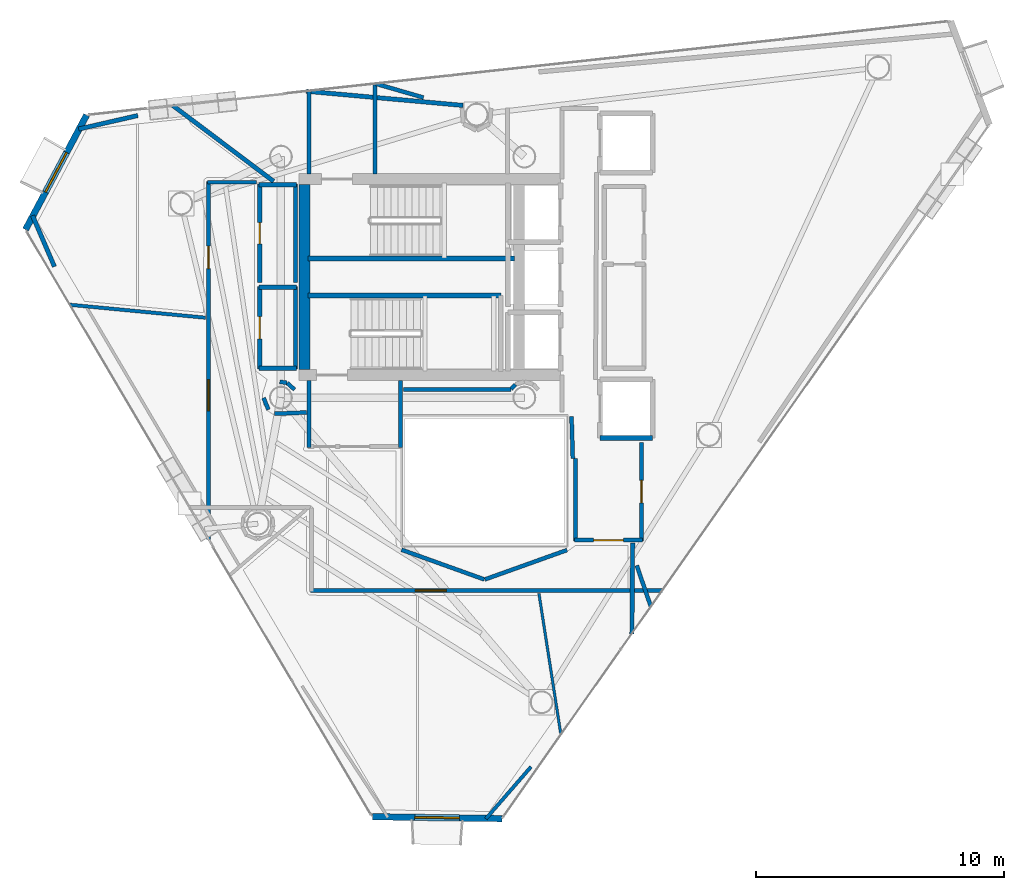
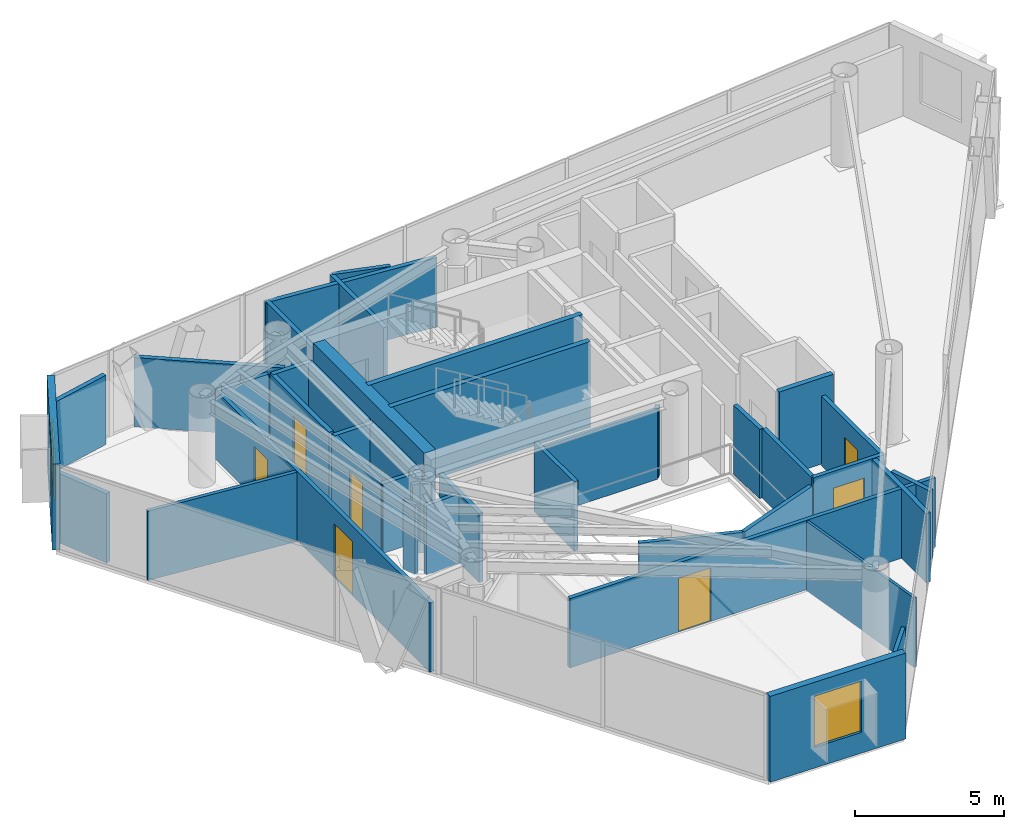
# One storey, part 15 of 19: 42 walls, 7 doors, 2 windows, 9 openings.
"""IFC4 building model written with IfcOpenShell, lengths in metres."""

from ifc_helpers import new_model, si_unit, direction, frame, frame_2d, origin, place, context, subcontext, project, spatial, rectangle, extrude, material, layer, layer_set, type_object, element, fill, save


model = new_model("IFC4")

# Units and contexts
model_context = context("Model", 3, precision=1e-05, world=origin(), true_north=direction((0.0, 1.0)))
body_context = subcontext(model_context, "Body", "Model", "MODEL_VIEW")
ifc_project = project(units=[si_unit("LENGTHUNIT", "METRE"), si_unit("AREAUNIT", "SQUARE_METRE"), si_unit("VOLUMEUNIT", "CUBIC_METRE"), si_unit("PLANEANGLEUNIT", "RADIAN"), si_unit("MASSUNIT", "GRAM", prefix="KILO")], contexts=[model_context])

# Site, building, storey
site_placement = place(None, origin())
site = spatial("IfcSite", under=ifc_project, at=site_placement, CompositionType="ELEMENT")
building_placement = place(site_placement, origin())
building = spatial("IfcBuilding", under=site, at=building_placement, Name="Qianvela Tower", CompositionType="ELEMENT")
storey_placement = place(building_placement, frame((0.0, 0.0, 280.60009765625)))
storey = spatial("IfcBuildingStorey", under=building, at=storey_placement, Name="L72", CompositionType="ELEMENT", Elevation=280.60009765625)

# Wall, opening, window
ifc_material_1 = material(Name="Terracotta Cladding on Concrete C40", Category="masonry")
ifc_layer_1 = layer(ifc_material_1, 0.260009765625)
ifc_layer_set_1 = layer_set([ifc_layer_1], Name="Terracotta Cladding on Concrete C40")
wall_type_1 = type_object("IfcWallType", Name="TERRACOTTA-WALL-260", PredefinedType="SOLIDWALL", material=ifc_layer_set_1)
wall_1_placement = place(storey_placement, frame((20.776611328125, 35.221435546875, 0.0), z_axis=(0.0, 0.0, 1.0), x_axis=(-0.470359968521, -0.882474645535, 0.0)))
wall_1 = element("IfcWall", 1, at=wall_1_placement, inside=storey, type_object=wall_type_1, Name="L72 Terracotta Chamfer Facet Wall 3", PredefinedType="SOLIDWALL", context=body_context, shape_type="SweptSolid", body=[
    extrude(rectangle(XDim=5.218505859375, YDim=0.260009765625, at=frame_2d((2.609375, 0.0))), origin(), (0.0, 0.0, 1.0), 3.52001953125),
])
opening_1_placement = place(wall_1_placement, frame((1.709228515625, 0.0, 0.85009765625)))
opening_1 = element("IfcOpeningElement", 2, at=opening_1_placement, cuts=wall_1, Name="Opening W-01", PredefinedType="OPENING", context=body_context, shape_type="SweptSolid", body=[
    extrude(rectangle(XDim=1.800048828125, YDim=2.10009765625, at=frame_2d((0.89990234375, 1.050048828125))), frame((0.0, 0.139892578125, 0.0), z_axis=(0.0, -1.0, 0.0), x_axis=(1.0, 0.0, 0.0)), (0.0, 0.0, 1.0), 0.280029296875),
])
ifc_material_2 = material(Name="Thermally Broken Aluminium and Low-E Glass", Category="aluminium")
window_type = type_object("IfcWindowType", Name="WIN-TC-1800x2100", PartitioningType="DOUBLE_PANEL_VERTICAL", PredefinedType="WINDOW", material=ifc_material_2)
window_1_placement = place(opening_1_placement, origin())
window_1 = element("IfcWindow", 3, at=window_1_placement, inside=storey, type_object=window_type, Name="L72 Chamfer Facet Window 3.1", OverallHeight=2.10009765625, OverallWidth=1.800048828125, PartitioningType="SINGLE_PANEL", PredefinedType="WINDOW", context=body_context, shape_type="SweptSolid", body=[
    extrude(rectangle(XDim=1.800048828125, YDim=2.10009765625, at=frame_2d((0.89990234375, 1.050048828125))), frame((0.0, 0.030029296875, 0.0), z_axis=(0.0, -1.0, 0.0), x_axis=(1.0, 0.0, 0.0)), (0.0, 0.0, 1.0), 0.06005859375),
])
fill(opening_1, window_1)

wall_2_placement = place(storey_placement, frame((32.279541015625, 6.977783203125, 0.0), z_axis=(0.0, 0.0, 1.0), x_axis=(0.999896181959, -0.014409209004, 0.0)))
wall_2 = element("IfcWall", 4, at=wall_2_placement, inside=storey, type_object=wall_type_1, Name="L72 Terracotta Chamfer Facet Wall 5", PredefinedType="SOLIDWALL", context=body_context, shape_type="SweptSolid", body=[
    extrude(rectangle(XDim=5.218505859375, YDim=0.260009765625, at=frame_2d((2.609375, 0.0))), origin(), (0.0, 0.0, 1.0), 3.52001953125),
])
opening_2_placement = place(wall_2_placement, frame((1.709228515625, 0.0, 0.85009765625)))
opening_2 = element("IfcOpeningElement", 5, at=opening_2_placement, cuts=wall_2, Name="Opening W-01", PredefinedType="OPENING", context=body_context, shape_type="SweptSolid", body=[
    extrude(rectangle(XDim=1.800048828125, YDim=2.10009765625, at=frame_2d((0.89990234375, 1.050048828125))), frame((0.0, 0.139892578125, 0.0), z_axis=(0.0, -1.0, 0.0), x_axis=(1.0, 0.0, 0.0)), (0.0, 0.0, 1.0), 0.280029296875),
])
window_2_placement = place(opening_2_placement, origin())
window_2 = element("IfcWindow", 6, at=window_2_placement, inside=storey, type_object=window_type, Name="L72 Chamfer Facet Window 5.1", OverallHeight=2.10009765625, OverallWidth=1.800048828125, PartitioningType="SINGLE_PANEL", PredefinedType="WINDOW", context=body_context, shape_type="SweptSolid", body=[
    extrude(rectangle(XDim=1.800048828125, YDim=2.10009765625, at=frame_2d((0.89990234375, 1.050048828125))), frame((0.0, 0.030029296875, 0.0), z_axis=(0.0, -1.0, 0.0), x_axis=(1.0, 0.0, 0.0)), (0.0, 0.0, 1.0), 0.06005859375),
])
fill(opening_2, window_2)

# Walls
ifc_material_3 = material(Name="Concrete C50", Category="concrete")
ifc_layer_2 = layer(ifc_material_3, 0.449951171875)
ifc_layer_set_2 = layer_set([ifc_layer_2], Name="Concrete C50")
wall_type_2 = type_object("IfcWallType", Name="WT-CORE-450", PredefinedType="SHEAR", material=ifc_layer_set_2)
wall_3_placement = place(storey_placement, frame((29.554931640625, 24.97998046875, 0.0), z_axis=(0.0, 0.0, 1.0), x_axis=(0.0, 1.0, 0.0)))
element("IfcWall", 7, at=wall_3_placement, inside=storey, type_object=wall_type_2, Name="L72 West Core Shear Wall", PredefinedType="SHEAR", context=body_context, shape_type="SweptSolid", body=[
    extrude(rectangle(XDim=7.43994140625, YDim=0.449951171875, at=frame_2d((3.719970703125, 0.0))), origin(), (0.0, 0.0, 1.0), 3.52001953125),
])
ifc_material_4 = material(Name="Fire-Rated Gypsum and Concrete Block", Category="concrete")
ifc_layer_3 = layer(ifc_material_4, 0.159912109375)
ifc_layer_set_3 = layer_set([ifc_layer_3], Name="Fire-Rated Gypsum and Concrete Block")
wall_type_3 = type_object("IfcWallType", Name="WT-CORR-160", PredefinedType="PARTITIONING", material=ifc_layer_set_3)
wall_4_placement = place(storey_placement, frame((29.73095703125, 32.85791015625, 0.0), z_axis=(0.0, 0.0, 1.0), x_axis=(0.0, 1.0, 0.0)))
element("IfcWall", 8, at=wall_4_placement, inside=storey, type_object=wall_type_3, Name="L72 Partition 2", PredefinedType="PARTITIONING", context=body_context, shape_type="SweptSolid", body=[
    extrude(rectangle(XDim=3.357421875, YDim=0.159912109375, at=frame_2d((1.6787109375, 0.0))), origin(), (0.0, 0.0, 1.0), 2.83984375),
])
wall_5_placement = place(storey_placement, frame((32.388916015625, 36.50439453125, 0.0), z_axis=(0.0, 0.0, 1.0), x_axis=(0.0, -1.0, 0.0)))
element("IfcWall", 9, at=wall_5_placement, inside=storey, type_object=wall_type_3, Name="L72 Partition 4", PredefinedType="PARTITIONING", context=body_context, shape_type="SweptSolid", body=[
    extrude(rectangle(XDim=3.646484375, YDim=0.159912109375, at=frame_2d((1.8232421875, 0.0))), origin(), (0.0, 0.0, 1.0), 2.83984375),
])
for number, where, z_axis, x_axis, name in (
    (10, (29.73095703125, 21.85009765625, 0.0), (0.0, 0.0, 1.0), (0.0, 1.0, 0.0), "L72 Partition 6"),
    (11, (33.4189453125, 24.5419921875, 0.0), (0.0, 0.0, 1.0), (0.0, -1.0, 0.0), "L72 Partition 8"),
):
    element("IfcWall", number, at=place(storey_placement, frame(where, z_axis=z_axis, x_axis=x_axis)), inside=storey, type_object=wall_type_3, Name=name, PredefinedType="PARTITIONING", context=body_context, shape_type="SweptSolid", body=[
        extrude(rectangle(XDim=2.69189453125, YDim=0.159912109375, at=frame_2d((1.345947265625, 0.0))), origin(), (0.0, 0.0, 1.0), 2.83984375),
    ])
wall_6_placement = place(storey_placement, frame((40.35107421875, 21.40087890625, 0.0), z_axis=(0.0, 0.0, 1.0), x_axis=(-0.031058045979, 0.999517582527, 0.0)))
element("IfcWall", 12, at=wall_6_placement, inside=storey, type_object=wall_type_3, Name="L72 Partition 9", PredefinedType="PARTITIONING", context=body_context, shape_type="SweptSolid", body=[
    extrude(rectangle(XDim=1.68212890625, YDim=0.159912109375, at=frame_2d((0.841064453125, 0.0))), origin(), (0.0, 0.0, 1.0), 2.83984375),
])

# Wall, opening, door
wall_7_placement = place(storey_placement, frame((43.118896484375, 22.050048828125, 0.0), z_axis=(0.0, 0.0, 1.0), x_axis=(0.0, -1.0, 0.0)))
wall_7 = element("IfcWall", 13, at=wall_7_placement, inside=storey, type_object=wall_type_3, Name="L72 Partition 16", PredefinedType="PARTITIONING", context=body_context, shape_type="SweptSolid", body=[
    extrude(rectangle(XDim=3.969970703125, YDim=0.159912109375, at=frame_2d((1.98486328125, 0.0))), origin(), (0.0, 0.0, 1.0), 2.83984375),
])
opening_3_placement = place(wall_7_placement, frame((1.534912109375, 0.0, 0.0)))
opening_3 = element("IfcOpeningElement", 14, at=opening_3_placement, cuts=wall_7, Name="Opening D-KT1", PredefinedType="OPENING", context=body_context, shape_type="SweptSolid", body=[
    extrude(rectangle(XDim=0.89990234375, YDim=2.10009765625, at=frame_2d((0.449951171875, 1.050048828125))), frame((0.0, 0.08984375, 0.0), z_axis=(0.0, -1.0, 0.0), x_axis=(1.0, 0.0, 0.0)), (0.0, 0.0, 1.0), 0.179931640625),
])
ifc_material_5 = material(Name="Glazed Timber Kitchen Door", Category="wood")
door_type_1 = type_object("IfcDoorType", Name="DT-KITCH-900", OperationType="NOTDEFINED", PredefinedType="DOOR", material=ifc_material_5)
door_1_placement = place(opening_3_placement, origin())
door_1 = element("IfcDoor", 15, at=door_1_placement, inside=storey, type_object=door_type_1, Name="L72 Door Student Tea Pantry L72-03 to L72 Lift Lobby", OperationType="SINGLE_SWING_LEFT", OverallHeight=2.10009765625, OverallWidth=0.89990234375, PredefinedType="DOOR", context=body_context, shape_type="SweptSolid", body=[
    extrude(rectangle(XDim=0.89990234375, YDim=2.10009765625, at=frame_2d((0.449951171875, 1.050048828125))), frame((0.0, 0.02490234375, 0.0), z_axis=(0.0, -1.0, 0.0), x_axis=(1.0, 0.0, 0.0)), (0.0, 0.0, 1.0), 0.050048828125),
])
fill(opening_3, door_1)

wall_8_placement = place(storey_placement, frame((43.14990234375, 18.111083984375, 0.0), z_axis=(0.0, 0.0, 1.0), x_axis=(-1.0, 0.0, 0.0)))
wall_8 = element("IfcWall", 16, at=wall_8_placement, inside=storey, type_object=wall_type_3, Name="L72 Partition 17", PredefinedType="PARTITIONING", context=body_context, shape_type="SweptSolid", body=[
    extrude(rectangle(XDim=2.72998046875, YDim=0.159912109375, at=frame_2d((1.364990234375, 0.0))), origin(), (0.0, 0.0, 1.0), 2.83984375),
])
opening_4_placement = place(wall_8_placement, frame((0.764892578125, 0.0, 0.0)))
opening_4 = element("IfcOpeningElement", 17, at=opening_4_placement, cuts=wall_8, Name="Opening D-LB1", PredefinedType="OPENING", context=body_context, shape_type="SweptSolid", body=[
    extrude(rectangle(XDim=1.199951171875, YDim=2.14990234375, at=frame_2d((0.60009765625, 1.074951171875))), frame((0.0, 0.08984375, 0.0), z_axis=(0.0, -1.0, 0.0), x_axis=(1.0, 0.0, 0.0)), (0.0, 0.0, 1.0), 0.179931640625),
])
ifc_material_6 = material(Name="Glazed Fire-Rated Steel Frame", Category="steel")
door_type_2 = type_object("IfcDoorType", Name="DT-LOBBY-FD90", OperationType="NOTDEFINED", PredefinedType="DOOR", material=ifc_material_6)
door_2_placement = place(opening_4_placement, origin())
door_2 = element("IfcDoor", 18, at=door_2_placement, inside=storey, type_object=door_type_2, Name="L72 Door L72 Lift Lobby to L72 Floor Corridor", OperationType="SINGLE_SWING_LEFT", OverallHeight=2.14990234375, OverallWidth=1.199951171875, PredefinedType="DOOR", context=body_context, shape_type="SweptSolid", body=[
    extrude(rectangle(XDim=1.199951171875, YDim=2.14990234375, at=frame_2d((0.60009765625, 1.074951171875))), frame((0.0, 0.02490234375, 0.0), z_axis=(0.0, -1.0, 0.0), x_axis=(1.0, 0.0, 0.0)), (0.0, 0.0, 1.0), 0.050048828125),
])
fill(opening_4, door_2)

# Walls
wall_9_placement = place(storey_placement, frame((40.450927734375, 18.080078125, 0.0), z_axis=(0.0, 0.0, 1.0), x_axis=(0.0, 1.0, 0.0)))
element("IfcWall", 19, at=wall_9_placement, inside=storey, type_object=wall_type_3, Name="L72 Partition 18 seg 1", PredefinedType="PARTITIONING", context=body_context, shape_type="SweptSolid", body=[
    extrude(rectangle(XDim=3.31982421875, YDim=0.159912109375, at=frame_2d((1.659912109375, 0.0))), origin(), (0.0, 0.0, 1.0), 2.83984375),
])
wall_10_placement = place(storey_placement, frame((38.0380859375, 24.378173828125, 0.0), z_axis=(0.0, 0.0, 1.0), x_axis=(-0.673658387955, -0.739042878551, 0.0)))
element("IfcWall", 20, at=wall_10_placement, inside=storey, type_object=wall_type_3, Name="L72 Partition 40", PredefinedType="PARTITIONING", context=body_context, shape_type="SweptSolid", body=[
    extrude(rectangle(XDim=0.246337890625, YDim=0.159912109375, at=frame_2d((0.123046875, 0.0))), origin(), (0.0, 0.0, 1.0), 2.83984375),
])
wall_11_placement = place(storey_placement, frame((37.8720703125, 24.180908203125, 0.0), z_axis=(0.0, 0.0, 1.0), x_axis=(-1.0, 0.0, 0.0)))
element("IfcWall", 21, at=wall_11_placement, inside=storey, type_object=wall_type_3, Name="L72 Partition 41", PredefinedType="PARTITIONING", context=body_context, shape_type="SweptSolid", body=[
    extrude(rectangle(XDim=4.342041015625, YDim=0.159912109375, at=frame_2d((2.1708984375, 0.0))), origin(), (0.0, 0.0, 1.0), 2.83984375),
])
wall_12_placement = place(storey_placement, frame((29.148681640625, 24.173095703125, 0.0), z_axis=(0.0, 0.0, 1.0), x_axis=(-0.745225165416, 0.666812906917, 0.0)))
element("IfcWall", 22, at=wall_12_placement, inside=storey, type_object=wall_type_3, Name="L72 Partition 51", PredefinedType="PARTITIONING", context=body_context, shape_type="SweptSolid", body=[
    extrude(rectangle(XDim=0.3955078125, YDim=0.159912109375, at=frame_2d((0.19775390625, 0.0))), origin(), (0.0, 0.0, 1.0), 2.83984375),
])
wall_13_placement = place(storey_placement, frame((28.837890625, 24.444091796875, 0.0), z_axis=(0.0, 0.0, 1.0), x_axis=(-0.989449148305, 0.144880581578, 0.0)))
element("IfcWall", 23, at=wall_13_placement, inside=storey, type_object=wall_type_3, Name="L72 Partition 52", PredefinedType="PARTITIONING", context=body_context, shape_type="SweptSolid", body=[
    extrude(rectangle(XDim=0.286376953125, YDim=0.159912109375, at=frame_2d((0.14306640625, 0.0))), origin(), (0.0, 0.0, 1.0), 2.83984375),
])
wall_14_placement = place(storey_placement, frame((32.4091796875, 36.48681640625, 0.0), z_axis=(0.0, 0.0, 1.0), x_axis=(0.960545465506, -0.278123010007, 0.0)))
element("IfcWall", 24, at=wall_14_placement, inside=storey, type_object=wall_type_3, Name="L72 Partition 55", PredefinedType="PARTITIONING", context=body_context, shape_type="SweptSolid", body=[
    extrude(rectangle(XDim=2.008544921875, YDim=0.159912109375, at=frame_2d((1.00439453125, 0.0))), origin(), (0.0, 0.0, 1.0), 2.83984375),
])
wall_15_placement = place(storey_placement, frame((27.9013671875, 23.838134765625, 0.0), z_axis=(0.0, 0.0, 1.0), x_axis=(0.382856448334, -0.923807847969, 0.0)))
element("IfcWall", 25, at=wall_15_placement, inside=storey, type_object=wall_type_3, Name="L72 Partition 62", PredefinedType="PARTITIONING", context=body_context, shape_type="SweptSolid", body=[
    extrude(rectangle(XDim=0.5126953125, YDim=0.159912109375, at=frame_2d((0.25634765625, 0.0))), origin(), (0.0, 0.0, 1.0), 2.83984375),
])
wall_16_placement = place(storey_placement, frame((28.3447265625, 23.199951171875, 0.0), z_axis=(0.0, 0.0, 1.0), x_axis=(0.999216536924, 0.039576664043, 0.0)))
element("IfcWall", 26, at=wall_16_placement, inside=storey, type_object=wall_type_3, Name="L72 Partition 63", PredefinedType="PARTITIONING", context=body_context, shape_type="SweptSolid", body=[
    extrude(rectangle(XDim=1.29541015625, YDim=0.159912109375, at=frame_2d((0.647705078125, 0.0))), origin(), (0.0, 0.0, 1.0), 2.83984375),
])
wall_17_placement = place(storey_placement, frame((33.45751953125, 17.723876953125, 0.0), z_axis=(0.0, 0.0, 1.0), x_axis=(0.94128854789, -0.337603124408, 0.0)))
element("IfcWall", 27, at=wall_17_placement, inside=storey, type_object=wall_type_3, Name="L72 Partition 66", PredefinedType="PARTITIONING", context=body_context, shape_type="SweptSolid", body=[
    extrude(rectangle(XDim=3.539794921875, YDim=0.159912109375, at=frame_2d((1.77001953125, 0.0))), origin(), (0.0, 0.0, 1.0), 2.83984375),
])
wall_18_placement = place(storey_placement, frame((36.810302734375, 16.52880859375, 0.0), z_axis=(0.0, 0.0, 1.0), x_axis=(0.941548344365, 0.33687789364, 0.0)))
element("IfcWall", 28, at=wall_18_placement, inside=storey, type_object=wall_type_3, Name="L72 Partition 67", PredefinedType="PARTITIONING", context=body_context, shape_type="SweptSolid", body=[
    extrude(rectangle(XDim=3.5126953125, YDim=0.159912109375, at=frame_2d((1.75634765625, 0.0))), origin(), (0.0, 0.0, 1.0), 2.83984375),
])
wall_19_placement = place(storey_placement, frame((42.923828125, 17.09228515625, 0.0), z_axis=(0.0, 0.0, 1.0), x_axis=(0.324748509852, -0.945800404604, 0.0)))
element("IfcWall", 29, at=wall_19_placement, inside=storey, type_object=wall_type_3, Name="L72 Partition 69", PredefinedType="PARTITIONING", context=body_context, shape_type="SweptSolid", body=[
    extrude(rectangle(XDim=1.7509765625, YDim=0.159912109375, at=frame_2d((0.87548828125, 0.0))), origin(), (0.0, 0.0, 1.0), 2.83984375),
])

# Wall, opening, door
wall_20_placement = place(storey_placement, frame((43.96533203125, 16.0810546875, 0.0), z_axis=(0.0, 0.0, 1.0), x_axis=(-1.0, 0.0, 0.0)))
wall_20 = element("IfcWall", 30, at=wall_20_placement, inside=storey, type_object=wall_type_3, Name="L72 Partition 70", PredefinedType="PARTITIONING", context=body_context, shape_type="SweptSolid", body=[
    extrude(rectangle(XDim=14.165283203125, YDim=0.159912109375, at=frame_2d((7.08251953125, 0.0))), origin(), (0.0, 0.0, 1.0), 2.83984375),
])
opening_5_placement = place(wall_20_placement, frame((8.70068359375, 0.0, 0.0)))
opening_5 = element("IfcOpeningElement", 31, at=opening_5_placement, cuts=wall_20, Name="Opening D-LG1", PredefinedType="OPENING", context=body_context, shape_type="SweptSolid", body=[
    extrude(rectangle(XDim=1.25, YDim=2.199951171875, at=frame_2d((0.625, 1.10009765625))), frame((0.0, 0.08984375, 0.0), z_axis=(0.0, -1.0, 0.0), x_axis=(1.0, 0.0, 0.0)), (0.0, 0.0, 1.0), 0.179931640625),
])
ifc_material_7 = material(Name="Anodised Aluminium Acoustic Glass Door", Category="aluminium")
door_type_3 = type_object("IfcDoorType", Name="DT-LOUNGE-1250", OperationType="NOTDEFINED", PredefinedType="DOOR", material=ifc_material_7)
door_3_placement = place(opening_5_placement, origin())
door_3 = element("IfcDoor", 32, at=door_3_placement, inside=storey, type_object=door_type_3, Name="L72 Door Project Huddle Conference L72-02 to L72 Floor Corridor", OperationType="SINGLE_SWING_RIGHT", OverallHeight=2.199951171875, OverallWidth=1.25, PredefinedType="DOOR", context=body_context, shape_type="SweptSolid", body=[
    extrude(rectangle(XDim=1.25, YDim=2.199951171875, at=frame_2d((0.625, 1.10009765625))), frame((0.0, 0.02490234375, 0.0), z_axis=(0.0, -1.0, 0.0), x_axis=(1.0, 0.0, 0.0)), (0.0, 0.0, 1.0), 0.050048828125),
])
fill(opening_5, door_3)

# Wall, openings, doors
wall_21_placement = place(storey_placement, frame((25.680908203125, 18.133056640625, 0.0), z_axis=(0.0, 0.0, 1.0), x_axis=(0.0, 1.0, 0.0)))
wall_21 = element("IfcWall", 33, at=wall_21_placement, inside=storey, type_object=wall_type_3, Name="L72 Partition 73", PredefinedType="PARTITIONING", context=body_context, shape_type="SweptSolid", body=[
    extrude(rectangle(XDim=14.4169921875, YDim=0.159912109375, at=frame_2d((7.20849609375, 0.0))), origin(), (0.0, 0.0, 1.0), 2.83984375),
])
opening_6_placement = place(wall_21_placement, frame((5.185546875, 0.0, 0.0)))
opening_6 = element("IfcOpeningElement", 34, at=opening_6_placement, cuts=wall_21, Name="Opening D-LG1", PredefinedType="OPENING", context=body_context, shape_type="SweptSolid", body=[
    extrude(rectangle(XDim=1.25, YDim=2.199951171875, at=frame_2d((0.625, 1.10009765625))), frame((0.0, 0.08984375, 0.0), z_axis=(0.0, -1.0, 0.0), x_axis=(1.0, 0.0, 0.0)), (0.0, 0.0, 1.0), 0.179931640625),
])
opening_7_placement = place(wall_21_placement, frame((10.911865234375, 0.0, 0.0)))
opening_7 = element("IfcOpeningElement", 35, at=opening_7_placement, cuts=wall_21, Name="Opening D-KT1", PredefinedType="OPENING", context=body_context, shape_type="SweptSolid", body=[
    extrude(rectangle(XDim=0.89990234375, YDim=2.10009765625, at=frame_2d((0.449951171875, 1.050048828125))), frame((0.0, 0.08984375, 0.0), z_axis=(0.0, -1.0, 0.0), x_axis=(1.0, 0.0, 0.0)), (0.0, 0.0, 1.0), 0.179931640625),
])
door_4_placement = place(opening_7_placement, origin())
door_4 = element("IfcDoor", 36, at=door_4_placement, inside=storey, type_object=door_type_1, Name="L72 Door Floor Dining Kitchen L72-04 to L72 Floor Corridor", OperationType="SINGLE_SWING_RIGHT", OverallHeight=2.10009765625, OverallWidth=0.89990234375, PredefinedType="DOOR", context=body_context, shape_type="SweptSolid", body=[
    extrude(rectangle(XDim=0.89990234375, YDim=2.10009765625, at=frame_2d((0.449951171875, 1.050048828125))), frame((0.0, 0.02490234375, 0.0), z_axis=(0.0, -1.0, 0.0), x_axis=(1.0, 0.0, 0.0)), (0.0, 0.0, 1.0), 0.050048828125),
])
fill(opening_7, door_4)
door_5_placement = place(opening_6_placement, origin())
door_5 = element("IfcDoor", 37, at=door_5_placement, inside=storey, type_object=door_type_3, Name="L72 Door Tutorial Breakout Seminar L72-01 to L72 Floor Corridor", OperationType="SINGLE_SWING_LEFT", OverallHeight=2.199951171875, OverallWidth=1.25, PredefinedType="DOOR", context=body_context, shape_type="SweptSolid", body=[
    extrude(rectangle(XDim=1.25, YDim=2.199951171875, at=frame_2d((0.625, 1.10009765625))), frame((0.0, 0.02490234375, 0.0), z_axis=(0.0, -1.0, 0.0), x_axis=(1.0, 0.0, 0.0)), (0.0, 0.0, 1.0), 0.050048828125),
])
fill(opening_6, door_5)

# Walls
wall_22_placement = place(storey_placement, frame((25.64990234375, 32.51904296875, 0.0), z_axis=(0.0, 0.0, 1.0), x_axis=(1.0, 0.0, 0.0)))
element("IfcWall", 38, at=wall_22_placement, inside=storey, type_object=wall_type_3, Name="L72 Partition 74", PredefinedType="PARTITIONING", context=body_context, shape_type="SweptSolid", body=[
    extrude(rectangle(XDim=1.97021484375, YDim=0.159912109375, at=frame_2d((0.985107421875, 0.0))), origin(), (0.0, 0.0, 1.0), 2.83984375),
])
ifc_material_8 = material(Name="Lightweight Gypsum Room Partition")
ifc_layer_4 = layer(ifc_material_8, 0.10498046875)
ifc_layer_set_4 = layer_set([ifc_layer_4], Name="Lightweight Gypsum Room Partition")
wall_type_4 = type_object("IfcWallType", Name="WT-PART-105", PredefinedType="PARTITIONING", material=ifc_layer_set_4)
wall_23_placement = place(storey_placement, frame((38.98681640625, 15.965087890625, 0.0), z_axis=(0.0, 0.0, 1.0), x_axis=(0.153696911963, -0.988118039129, 0.0)))
element("IfcWall", 39, at=wall_23_placement, inside=storey, type_object=wall_type_4, Name="L72 Partition 94", PredefinedType="PARTITIONING", context=body_context, shape_type="SweptSolid", body=[
    extrude(rectangle(XDim=5.7724609375, YDim=0.10498046875, at=frame_2d((2.88623046875, 0.0))), origin(), (0.0, 0.0, 1.0), 2.83984375),
])

# Wall, opening, door
ifc_material_9 = material(Name="Moisture-Resistant Acoustic Plumbing Wall")
ifc_layer_5 = layer(ifc_material_9, 0.175048828125)
ifc_layer_set_5 = layer_set([ifc_layer_5], Name="Moisture-Resistant Acoustic Plumbing Wall")
wall_type_5 = type_object("IfcWallType", Name="WT-PLUMB-175", PredefinedType="PLUMBINGWALL", material=ifc_layer_set_5)
wall_24_placement = place(storey_placement, frame((27.7509765625, 25.0, 0.0), z_axis=(0.0, 0.0, 1.0), x_axis=(0.0, 1.0, 0.0)))
wall_24 = element("IfcWall", 40, at=wall_24_placement, inside=storey, type_object=wall_type_5, Name="L72 Partition 27", PredefinedType="PLUMBINGWALL", context=body_context, shape_type="SweptSolid", body=[
    extrude(rectangle(XDim=3.320068359375, YDim=0.175048828125, at=frame_2d((1.66015625, 0.0))), origin(), (0.0, 0.0, 1.0), 2.83984375),
])
opening_8_placement = place(wall_24_placement, frame((1.2099609375, 0.0, 0.0)))
opening_8 = element("IfcOpeningElement", 41, at=opening_8_placement, cuts=wall_24, Name="Opening D-KT1", PredefinedType="OPENING", context=body_context, shape_type="SweptSolid", body=[
    extrude(rectangle(XDim=0.89990234375, YDim=2.10009765625, at=frame_2d((0.449951171875, 1.050048828125))), frame((0.0, 0.097412109375, 0.0), z_axis=(0.0, -1.0, 0.0), x_axis=(1.0, 0.0, 0.0)), (0.0, 0.0, 1.0), 0.195068359375),
])
door_6_placement = place(opening_8_placement, origin())
door_6 = element("IfcDoor", 42, at=door_6_placement, inside=storey, type_object=door_type_1, Name="L72 Door L72 Core Tea Pantry West to L72 Floor Corridor", OperationType="SINGLE_SWING_RIGHT", OverallHeight=2.10009765625, OverallWidth=0.89990234375, PredefinedType="DOOR", context=body_context, shape_type="SweptSolid", body=[
    extrude(rectangle(XDim=0.89990234375, YDim=2.10009765625, at=frame_2d((0.449951171875, 1.050048828125))), frame((0.0, 0.02490234375, 0.0), z_axis=(0.0, -1.0, 0.0), x_axis=(1.0, 0.0, 0.0)), (0.0, 0.0, 1.0), 0.050048828125),
])
fill(opening_8, door_6)

# Walls
wall_25_placement = place(storey_placement, frame((27.719970703125, 28.2890625, 0.0), z_axis=(0.0, 0.0, 1.0), x_axis=(1.0, 0.0, 0.0)))
element("IfcWall", 43, at=wall_25_placement, inside=storey, type_object=wall_type_5, Name="L72 Partition 28", PredefinedType="PLUMBINGWALL", context=body_context, shape_type="SweptSolid", body=[
    extrude(rectangle(XDim=1.5, YDim=0.175048828125, at=frame_2d((0.75, 0.0))), origin(), (0.0, 0.0, 1.0), 2.83984375),
])
wall_26_placement = place(storey_placement, frame((29.18896484375, 28.320068359375, 0.0), z_axis=(0.0, 0.0, 1.0), x_axis=(0.0, -1.0, 0.0)))
element("IfcWall", 44, at=wall_26_placement, inside=storey, type_object=wall_type_5, Name="L72 Partition 29", PredefinedType="PLUMBINGWALL", context=body_context, shape_type="SweptSolid", body=[
    extrude(rectangle(XDim=3.320068359375, YDim=0.175048828125, at=frame_2d((1.66015625, 0.0))), origin(), (0.0, 0.0, 1.0), 2.83984375),
])
wall_27_placement = place(storey_placement, frame((29.219970703125, 25.031005859375, 0.0), z_axis=(0.0, 0.0, 1.0), x_axis=(-1.0, 0.0, 0.0)))
element("IfcWall", 45, at=wall_27_placement, inside=storey, type_object=wall_type_5, Name="L72 Partition 30", PredefinedType="PLUMBINGWALL", context=body_context, shape_type="SweptSolid", body=[
    extrude(rectangle(XDim=1.5, YDim=0.175048828125, at=frame_2d((0.75, 0.0))), origin(), (0.0, 0.0, 1.0), 2.83984375),
])

# Wall, opening, door
wall_28_placement = place(storey_placement, frame((27.7509765625, 28.47998046875, 0.0), z_axis=(0.0, 0.0, 1.0), x_axis=(0.0, 1.0, 0.0)))
wall_28 = element("IfcWall", 46, at=wall_28_placement, inside=storey, type_object=wall_type_5, Name="L72 Partition 31", PredefinedType="PLUMBINGWALL", context=body_context, shape_type="SweptSolid", body=[
    extrude(rectangle(XDim=3.969970703125, YDim=0.175048828125, at=frame_2d((1.98486328125, 0.0))), origin(), (0.0, 0.0, 1.0), 2.83984375),
])
opening_9_placement = place(wall_28_placement, frame((1.554931640625, 0.0, 0.0)))
opening_9 = element("IfcOpeningElement", 47, at=opening_9_placement, cuts=wall_28, Name="Opening D-WC1", PredefinedType="OPENING", context=body_context, shape_type="SweptSolid", body=[
    extrude(rectangle(XDim=0.860107421875, YDim=2.050048828125, at=frame_2d((0.43017578125, 1.02490234375))), frame((0.0, 0.097412109375, 0.0), z_axis=(0.0, -1.0, 0.0), x_axis=(1.0, 0.0, 0.0)), (0.0, 0.0, 1.0), 0.195068359375),
])
ifc_material_10 = material(Name="Moisture-Sealed Acoustic Timber Door", Category="wood")
door_type_4 = type_object("IfcDoorType", Name="DT-WC-860", OperationType="NOTDEFINED", PredefinedType="DOOR", material=ifc_material_10)
door_7_placement = place(opening_9_placement, origin())
door_7 = element("IfcDoor", 48, at=door_7_placement, inside=storey, type_object=door_type_4, Name="L72 Door L72 Accessible WC to L72 Floor Corridor", OperationType="SINGLE_SWING_LEFT", OverallHeight=2.050048828125, OverallWidth=0.860107421875, PredefinedType="DOOR", context=body_context, shape_type="SweptSolid", body=[
    extrude(rectangle(XDim=0.860107421875, YDim=2.050048828125, at=frame_2d((0.43017578125, 1.02490234375))), frame((0.0, 0.02490234375, 0.0), z_axis=(0.0, -1.0, 0.0), x_axis=(1.0, 0.0, 0.0)), (0.0, 0.0, 1.0), 0.050048828125),
])
fill(opening_9, door_7)

# Walls
wall_29_placement = place(storey_placement, frame((27.719970703125, 32.4189453125, 0.0), z_axis=(0.0, 0.0, 1.0), x_axis=(1.0, 0.0, 0.0)))
element("IfcWall", 49, at=wall_29_placement, inside=storey, type_object=wall_type_5, Name="L72 Partition 32", PredefinedType="PLUMBINGWALL", context=body_context, shape_type="SweptSolid", body=[
    extrude(rectangle(XDim=1.5, YDim=0.175048828125, at=frame_2d((0.75, 0.0))), origin(), (0.0, 0.0, 1.0), 2.83984375),
])
wall_30_placement = place(storey_placement, frame((29.18896484375, 32.449951171875, 0.0), z_axis=(0.0, 0.0, 1.0), x_axis=(0.0, -1.0, 0.0)))
element("IfcWall", 50, at=wall_30_placement, inside=storey, type_object=wall_type_5, Name="L72 Partition 33", PredefinedType="PLUMBINGWALL", context=body_context, shape_type="SweptSolid", body=[
    extrude(rectangle(XDim=3.969970703125, YDim=0.175048828125, at=frame_2d((1.98486328125, 0.0))), origin(), (0.0, 0.0, 1.0), 2.83984375),
])
wall_31_placement = place(storey_placement, frame((35.93310546875, 35.610595703125, 0.0), z_axis=(0.0, 0.0, 1.0), x_axis=(-0.995921239294, 0.090226853666, 0.0)))
element("IfcWall", 51, at=wall_31_placement, inside=storey, type_object=wall_type_5, Name="L72 Partition 111", PredefinedType="PLUMBINGWALL", context=body_context, shape_type="SweptSolid", body=[
    extrude(rectangle(XDim=6.342529296875, YDim=0.175048828125, at=frame_2d((3.17138671875, 0.0))), origin(), (0.0, 0.0, 1.0), 2.83984375),
])
wall_32_placement = place(storey_placement, frame((28.306640625, 32.5546875, 0.0), z_axis=(0.0, 0.0, 1.0), x_axis=(-0.799198697227, 0.601066920027, 0.0)))
element("IfcWall", 52, at=wall_32_placement, inside=storey, type_object=wall_type_5, Name="L72 Partition 114", PredefinedType="PLUMBINGWALL", context=body_context, shape_type="SweptSolid", body=[
    extrude(rectangle(XDim=5.086669921875, YDim=0.175048828125, at=frame_2d((2.54345703125, 0.0))), origin(), (0.0, 0.0, 1.0), 2.83984375),
])
wall_33_placement = place(storey_placement, frame((42.729736328125, 14.3310546875, 0.0), z_axis=(0.0, 0.0, 1.0), x_axis=(0.007785749238, 0.999969690595, 0.0)))
element("IfcWall", 53, at=wall_33_placement, inside=storey, type_object=wall_type_5, Name="L72 Partition 120", PredefinedType="PLUMBINGWALL", context=body_context, shape_type="SweptSolid", body=[
    extrude(rectangle(XDim=3.668701171875, YDim=0.175048828125, at=frame_2d((1.83447265625, 0.0))), origin(), (0.0, 0.0, 1.0), 2.83984375),
])
wall_34_placement = place(storey_placement, frame((20.457275390625, 34.65771484375, 0.0), z_axis=(0.0, 0.0, 1.0), x_axis=(0.974674773873, 0.223627111899, 0.0)))
element("IfcWall", 54, at=wall_34_placement, inside=storey, type_object=wall_type_5, Name="L72 Partition 125 seg 1", PredefinedType="PLUMBINGWALL", context=body_context, shape_type="SweptSolid", body=[
    extrude(rectangle(XDim=2.445556640625, YDim=0.175048828125, at=frame_2d((1.22265625, 0.0))), origin(), (0.0, 0.0, 1.0), 2.83984375),
])
wall_35_placement = place(storey_placement, frame((19.482666015625, 29.12255859375, 0.0), z_axis=(0.0, 0.0, 1.0), x_axis=(-0.394064292103, 0.919082876399, 0.0)))
element("IfcWall", 55, at=wall_35_placement, inside=storey, type_object=wall_type_5, Name="L72 Partition 130 seg 1", PredefinedType="PLUMBINGWALL", context=body_context, shape_type="SweptSolid", body=[
    extrude(rectangle(XDim=2.2353515625, YDim=0.175048828125, at=frame_2d((1.11767578125, 0.0))), origin(), (0.0, 0.0, 1.0), 2.83984375),
])
ifc_material_11 = material(Name="Acoustic Double Gypsum Stud Partition")
ifc_layer_6 = layer(ifc_material_11, 0.139892578125)
ifc_layer_set_6 = layer_set([ifc_layer_6], Name="Acoustic Double Gypsum Stud Partition")
wall_type_6 = type_object("IfcWallType", Name="WT-ROOM-140", PredefinedType="PARTITIONING", material=ifc_layer_set_6)
wall_36_placement = place(storey_placement, frame((20.09130859375, 27.587890625, 0.0), z_axis=(0.0, 0.0, 1.0), x_axis=(0.995474903203, -0.095024823566, 0.0)))
element("IfcWall", 56, at=wall_36_placement, inside=storey, type_object=wall_type_6, Name="L72 Partition 89", PredefinedType="PARTITIONING", context=body_context, shape_type="SweptSolid", body=[
    extrude(rectangle(XDim=5.500732421875, YDim=0.139892578125, at=frame_2d((2.75048828125, 0.0))), origin(), (0.0, 0.0, 1.0), 2.83984375),
])
wall_37_placement = place(storey_placement, frame((38.6669921875, 8.984619140625, 0.0), z_axis=(0.0, 0.0, 1.0), x_axis=(-0.656292210243, -0.754506815591, 0.0)))
element("IfcWall", 57, at=wall_37_placement, inside=storey, type_object=wall_type_6, Name="L72 Partition 95 seg 1", PredefinedType="PARTITIONING", context=body_context, shape_type="SweptSolid", body=[
    extrude(rectangle(XDim=2.769287109375, YDim=0.139892578125, at=frame_2d((1.384765625, 0.0))), origin(), (0.0, 0.0, 1.0), 2.83984375),
])
ifc_material_12 = material(Name="Concrete C50", Category="concrete")
ifc_layer_7 = layer(ifc_material_12, 0.199951171875)
ifc_layer_set_7 = layer_set([ifc_layer_7], Name="Concrete C50")
wall_type_7 = type_object("IfcWallType", Name="WT-SHAFT-200", PredefinedType="SOLIDWALL", material=ifc_layer_set_7)
wall_38_placement = place(storey_placement, frame((29.699951171875, 29.449951171875, 0.0), z_axis=(0.0, 0.0, 1.0), x_axis=(1.0, 0.0, 0.0)))
element("IfcWall", 58, at=wall_38_placement, inside=storey, type_object=wall_type_7, Name="L72 Stair ST-1 South Wall", PredefinedType="SOLIDWALL", context=body_context, shape_type="SweptSolid", body=[
    extrude(rectangle(XDim=8.300048828125, YDim=0.199951171875, at=frame_2d((4.14990234375, 0.0))), origin(), (0.0, 0.0, 1.0), 3.52001953125),
])
wall_39_placement = place(storey_placement, frame((29.699951171875, 27.9599609375, 0.0), z_axis=(0.0, 0.0, 1.0), x_axis=(1.0, 0.0, 0.0)))
element("IfcWall", 59, at=wall_39_placement, inside=storey, type_object=wall_type_7, Name="L72 Stair ST-2 North Wall", PredefinedType="SOLIDWALL", context=body_context, shape_type="SweptSolid", body=[
    extrude(rectangle(XDim=7.75, YDim=0.199951171875, at=frame_2d((3.875, 0.0))), origin(), (0.0, 0.0, 1.0), 3.52001953125),
])
wall_40_placement = place(storey_placement, frame((41.449951171875, 22.219970703125, 0.0), z_axis=(0.0, 0.0, 1.0), x_axis=(1.0, 0.0, 0.0)))
element("IfcWall", 60, at=wall_40_placement, inside=storey, type_object=wall_type_7, Name="L72 Lift PL-H2 S Shaft Wall", PredefinedType="SOLIDWALL", context=body_context, shape_type="SweptSolid", body=[
    extrude(rectangle(XDim=2.10009765625, YDim=0.199951171875, at=frame_2d((1.050048828125, 0.0))), origin(), (0.0, 0.0, 1.0), 3.52001953125),
])

save(model, "model.ifc")
